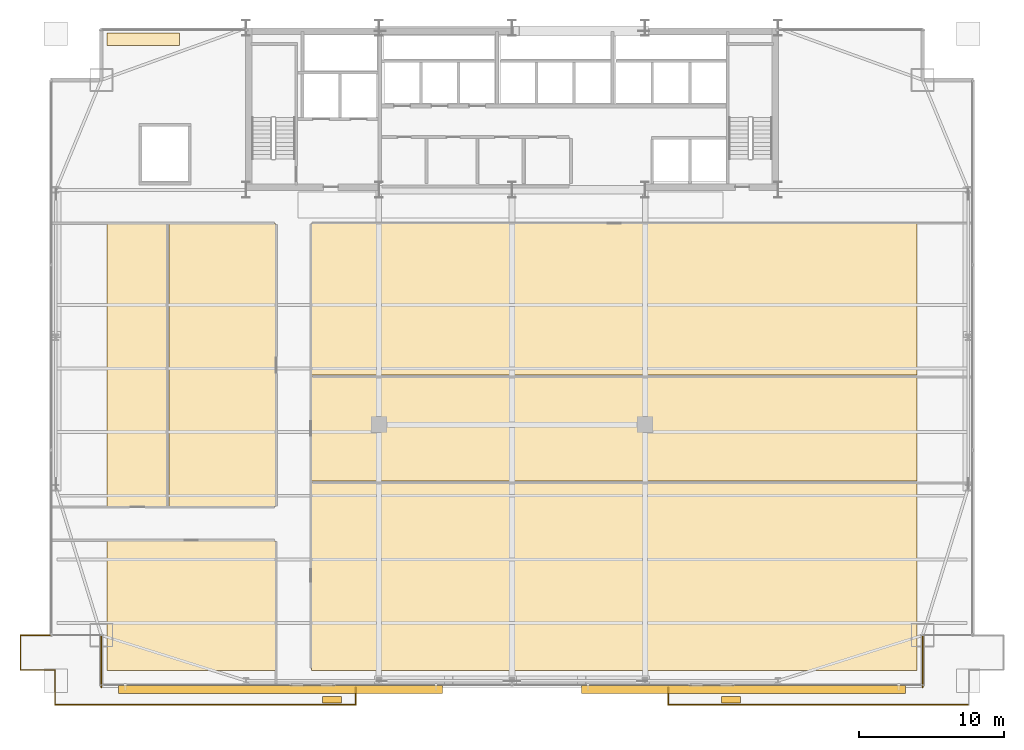
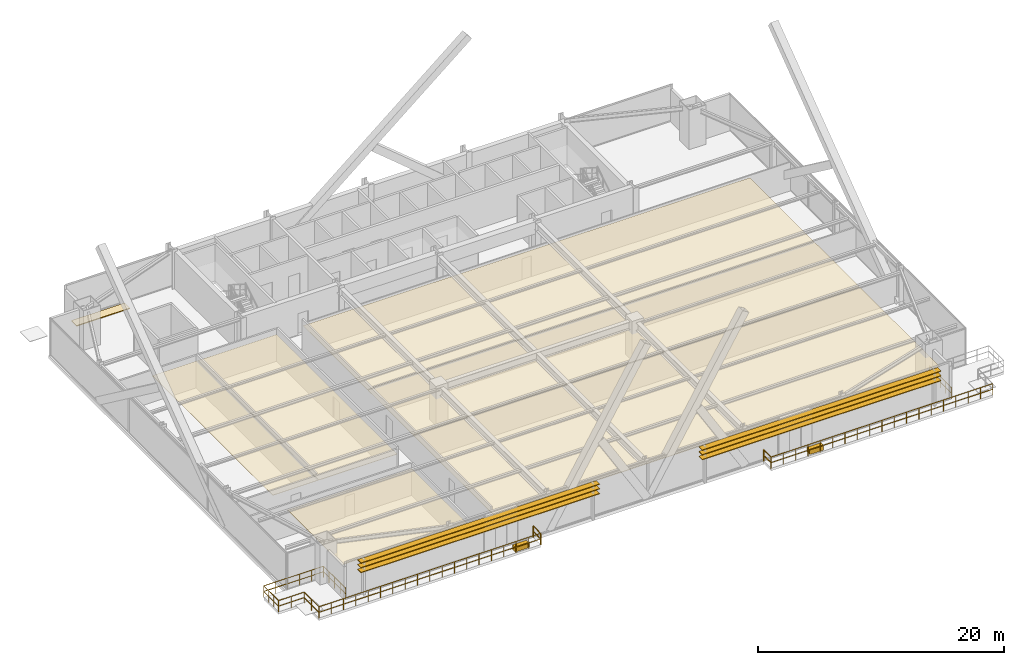
# One storey, part 32 of 34: 10 railings, 9 coverings, 6 shading devices.
"""IFC4 building model written with IfcOpenShell, lengths in metres."""

from ifc_helpers import new_model, si_unit, direction, frame, origin, origin_2d, place, context, subcontext, project, spatial, polyline, rectangle, outline, extrude, source, transform, mapped, material, layer, layer_set, type_object, type_shapes, element, save


model = new_model("IFC4")

# Units and contexts
model_context = context("Model", 3, precision=1e-05, world=origin(), true_north=direction((0.0, 1.0)))
body_context = subcontext(model_context, "Body", "Model", "MODEL_VIEW")
ifc_project = project(units=[si_unit("LENGTHUNIT", "METRE"), si_unit("AREAUNIT", "SQUARE_METRE"), si_unit("VOLUMEUNIT", "CUBIC_METRE"), si_unit("PLANEANGLEUNIT", "RADIAN"), si_unit("MASSUNIT", "GRAM", prefix="KILO")], contexts=[model_context])

# Site, building, storey
site_placement = place(None, origin())
site = spatial("IfcSite", under=ifc_project, at=site_placement, CompositionType="ELEMENT")
building_placement = place(site_placement, origin())
building = spatial("IfcBuilding", under=site, at=building_placement, Name="Varnel Quay Broadcast Tower", CompositionType="ELEMENT")
storey_placement = place(building_placement, frame((0.0, 0.0, 27.60009765625)))
storey = spatial("IfcBuildingStorey", under=building, at=storey_placement, Name="L05", CompositionType="ELEMENT", Elevation=27.60009765625)

# Coverings
ifc_material_1 = material(Name="Micro-Perforated Acoustic Ceiling Tile")
ifc_layer_1 = layer(ifc_material_1, 0.0400390625, Name="Micro-Perforated Acoustic Ceiling Tile")
ifc_layer_set_1 = layer_set([ifc_layer_1], Name="Micro-Perforated Acoustic Ceiling Tile")
covering_type_1 = type_object("IfcCoveringType", Name="Cov_AcousticCeiling", PredefinedType="CEILING", material=ifc_layer_set_1)
covering_1_placement = place(storey_placement, frame((0.0, 0.0, 2.579833984375)))
element("IfcCovering", 1, at=covering_1_placement, inside=storey, type_object=covering_type_1, Name="L05 Broadcast Newsroom 1 Acoustic Ceiling", PredefinedType="CEILING", context=body_context, shape_type="SweptSolid", body=[
    extrude(outline(polyline([(5.985107421875, 2.375), (17.655029296875, 2.375), (17.655029296875, 11.3349609375), (5.985107421875, 11.3349609375), (5.985107421875, 2.375)])), origin(), (0.0, 0.0, 1.0), 0.0400390625),
])
covering_2_placement = place(storey_placement, frame((0.0, 0.0, 2.579833984375)))
element("IfcCovering", 2, at=covering_2_placement, inside=storey, type_object=covering_type_1, Name="L05 Assignment Desk 2 Acoustic Ceiling", PredefinedType="CEILING", context=body_context, shape_type="SweptSolid", body=[
    extrude(outline(polyline([(5.985107421875, 13.705078125), (10.215087890625, 13.705078125), (10.215087890625, 33.264892578125), (5.985107421875, 33.264892578125), (5.985107421875, 13.705078125)])), origin(), (0.0, 0.0, 1.0), 0.0400390625),
])
covering_3_placement = place(storey_placement, frame((0.0, 0.0, 2.579833984375)))
element("IfcCovering", 3, at=covering_3_placement, inside=storey, type_object=covering_type_1, Name="L05 Editorial Boardroom 3 Acoustic Ceiling", PredefinedType="CEILING", context=body_context, shape_type="SweptSolid", body=[
    extrude(outline(polyline([(10.284912109375, 13.705078125), (17.655029296875, 13.705078125), (17.655029296875, 33.264892578125), (10.284912109375, 33.264892578125), (10.284912109375, 13.705078125)])), origin(), (0.0, 0.0, 1.0), 0.0400390625),
])
covering_4_placement = place(storey_placement, frame((0.0, 0.0, 2.579833984375)))
element("IfcCovering", 4, at=covering_4_placement, inside=storey, type_object=covering_type_1, Name="L05 Break Kitchen 4 Acoustic Ceiling", PredefinedType="CEILING", context=body_context, shape_type="SweptSolid", body=[
    extrude(outline(polyline([(20.125, 2.375), (62.014892578125, 2.375), (62.014892578125, 15.385009765625), (20.125, 15.385009765625), (20.125, 2.375)])), origin(), (0.0, 0.0, 1.0), 0.0400390625),
])
covering_5_placement = place(storey_placement, frame((0.0, 0.0, 2.579833984375)))
element("IfcCovering", 5, at=covering_5_placement, inside=storey, type_object=covering_type_1, Name="L05 Press Green Lounge 5 Acoustic Ceiling", PredefinedType="CEILING", context=body_context, shape_type="SweptSolid", body=[
    extrude(outline(polyline([(20.125, 15.455078125), (62.014892578125, 15.455078125), (62.014892578125, 22.735107421875), (20.125, 22.735107421875), (20.125, 15.455078125)])), origin(), (0.0, 0.0, 1.0), 0.0400390625),
])
covering_6_placement = place(storey_placement, frame((0.0, 0.0, 2.579833984375)))
element("IfcCovering", 6, at=covering_6_placement, inside=storey, type_object=covering_type_1, Name="L05 Camera Locker Store 6 Acoustic Ceiling", PredefinedType="CEILING", context=body_context, shape_type="SweptSolid", body=[
    extrude(outline(polyline([(20.125, 22.804931640625), (62.014892578125, 22.804931640625), (62.014892578125, 33.264892578125), (20.125, 33.264892578125), (20.125, 22.804931640625)])), origin(), (0.0, 0.0, 1.0), 0.0400390625),
])
ifc_material_2 = material(Name="Insulated SBS Modified Bitumen Roof Membrane")
ifc_layer_2 = layer(ifc_material_2, 0.080078125, Name="Insulated SBS Modified Bitumen Roof Membrane")
ifc_layer_set_2 = layer_set([ifc_layer_2], Name="Insulated SBS Modified Bitumen Roof Membrane")
covering_type_2 = type_object("IfcCoveringType", Name="Cov_RoofMembrane", PredefinedType="ROOFING", material=ifc_layer_set_2)
covering_7_placement = place(storey_placement, origin())
element("IfcCovering", 7, at=covering_7_placement, inside=storey, type_object=covering_type_2, Name="L05 North Curb Flashing Membrane", PredefinedType="ROOFING", context=body_context, shape_type="SweptSolid", body=[
    extrude(outline(polyline([(6.0, 45.60009765625), (11.0, 45.60009765625), (11.0, 46.449951171875), (6.0, 46.449951171875), (6.0, 45.60009765625)])), origin(), (0.0, 0.0, 1.0), 0.079833984375),
])

# Railings
ifc_material_3 = material(Name="Anodised Bronze Aluminium 6063-T6", Category="aluminium")
railing_type = type_object("IfcRailingType", Name="Rail_Balustrade1150", PredefinedType="BALUSTRADE", material=ifc_material_3)
railing_1_placement = place(storey_placement, frame((2.39990234375, 0.0, 0.0)))
element("IfcRailing", 8, at=railing_1_placement, inside=storey, type_object=railing_type, Name="L05 Terrace 1 Guard 1", PredefinedType="BALUSTRADE", context=body_context, shape_type="SweptSolid", body=[
    extrude(rectangle(XDim=0.048095703125, YDim=0.048095703125, at=origin_2d()), frame((0.0, 0.0, 1.1259765625), z_axis=(1.0, 0.0, 0.0), x_axis=(0.0, 1.0, 0.0)), (0.0, 0.0, 1.0), 20.800048828125),
    extrude(rectangle(XDim=0.048095703125, YDim=0.048095703125, at=origin_2d()), frame((0.0, 0.0, 0.574951171875), z_axis=(1.0, 0.0, 0.0), x_axis=(0.0, 1.0, 0.0)), (0.0, 0.0, 1.0), 20.800048828125),
    extrude(rectangle(XDim=0.0419921875, YDim=0.0419921875, at=origin_2d()), origin(), (0.0, 0.0, 1.0), 1.101806640625),
    extrude(rectangle(XDim=0.0419921875, YDim=0.0419921875, at=origin_2d()), frame((1.155517578125, 0.0, 0.0)), (0.0, 0.0, 1.0), 1.101806640625),
    extrude(rectangle(XDim=0.0419921875, YDim=0.0419921875, at=origin_2d()), frame((2.31103515625, 0.0, 0.0)), (0.0, 0.0, 1.0), 1.101806640625),
    extrude(rectangle(XDim=0.0419921875, YDim=0.0419921875, at=origin_2d()), frame((3.466796875, 0.0, 0.0)), (0.0, 0.0, 1.0), 1.101806640625),
    extrude(rectangle(XDim=0.0419921875, YDim=0.0419921875, at=origin_2d()), frame((4.622314453125, 0.0, 0.0)), (0.0, 0.0, 1.0), 1.101806640625),
    extrude(rectangle(XDim=0.0419921875, YDim=0.0419921875, at=origin_2d()), frame((5.77783203125, 0.0, 0.0)), (0.0, 0.0, 1.0), 1.101806640625),
    extrude(rectangle(XDim=0.0419921875, YDim=0.0419921875, at=origin_2d()), frame((6.933349609375, 0.0, 0.0)), (0.0, 0.0, 1.0), 1.101806640625),
    extrude(rectangle(XDim=0.0419921875, YDim=0.0419921875, at=origin_2d()), frame((8.0888671875, 0.0, 0.0)), (0.0, 0.0, 1.0), 1.101806640625),
    extrude(rectangle(XDim=0.0419921875, YDim=0.0419921875, at=origin_2d()), frame((9.244384765625, 0.0, 0.0)), (0.0, 0.0, 1.0), 1.101806640625),
    extrude(rectangle(XDim=0.0419921875, YDim=0.0419921875, at=origin_2d()), frame((10.39990234375, 0.0, 0.0)), (0.0, 0.0, 1.0), 1.101806640625),
    extrude(rectangle(XDim=0.0419921875, YDim=0.0419921875, at=origin_2d()), frame((11.5556640625, 0.0, 0.0)), (0.0, 0.0, 1.0), 1.101806640625),
    extrude(rectangle(XDim=0.0419921875, YDim=0.0419921875, at=origin_2d()), frame((12.711181640625, 0.0, 0.0)), (0.0, 0.0, 1.0), 1.101806640625),
    extrude(rectangle(XDim=0.0419921875, YDim=0.0419921875, at=origin_2d()), frame((13.86669921875, 0.0, 0.0)), (0.0, 0.0, 1.0), 1.101806640625),
    extrude(rectangle(XDim=0.0419921875, YDim=0.0419921875, at=origin_2d()), frame((15.022216796875, 0.0, 0.0)), (0.0, 0.0, 1.0), 1.101806640625),
    extrude(rectangle(XDim=0.0419921875, YDim=0.0419921875, at=origin_2d()), frame((16.177734375, 0.0, 0.0)), (0.0, 0.0, 1.0), 1.101806640625),
    extrude(rectangle(XDim=0.0419921875, YDim=0.0419921875, at=origin_2d()), frame((17.33349609375, 0.0, 0.0)), (0.0, 0.0, 1.0), 1.101806640625),
    extrude(rectangle(XDim=0.0419921875, YDim=0.0419921875, at=origin_2d()), frame((18.489013671875, 0.0, 0.0)), (0.0, 0.0, 1.0), 1.101806640625),
    extrude(rectangle(XDim=0.0419921875, YDim=0.0419921875, at=origin_2d()), frame((19.64453125, 0.0, 0.0)), (0.0, 0.0, 1.0), 1.101806640625),
    extrude(rectangle(XDim=0.0419921875, YDim=0.0419921875, at=origin_2d()), frame((20.800048828125, 0.0, 0.0)), (0.0, 0.0, 1.0), 1.101806640625),
])
railing_2_placement = place(storey_placement, frame((23.199951171875, 0.0, 0.0)))
element("IfcRailing", 9, at=railing_2_placement, inside=storey, type_object=railing_type, Name="L05 Terrace 1 Guard 2", PredefinedType="BALUSTRADE", context=body_context, shape_type="SweptSolid", body=[
    extrude(rectangle(XDim=0.048095703125, YDim=0.048095703125, at=origin_2d()), frame((0.0, 0.0, 1.1259765625), z_axis=(0.0, 1.0, 0.0), x_axis=(-1.0, 0.0, 0.0)), (0.0, 0.0, 1.0), 1.199951171875),
    extrude(rectangle(XDim=0.048095703125, YDim=0.048095703125, at=origin_2d()), frame((0.0, 0.0, 0.574951171875), z_axis=(0.0, 1.0, 0.0), x_axis=(-1.0, 0.0, 0.0)), (0.0, 0.0, 1.0), 1.199951171875),
    extrude(rectangle(XDim=0.0419921875, YDim=0.0419921875, at=origin_2d()), origin(), (0.0, 0.0, 1.0), 1.101806640625),
    extrude(rectangle(XDim=0.0419921875, YDim=0.0419921875, at=origin_2d()), frame((0.0, 1.199951171875, 0.0)), (0.0, 0.0, 1.0), 1.101806640625),
])
railing_3_placement = place(storey_placement, frame((5.60009765625, 1.199951171875, 0.0)))
element("IfcRailing", 10, at=railing_3_placement, inside=storey, type_object=railing_type, Name="L05 Terrace 1 Guard 4", PredefinedType="BALUSTRADE", context=body_context, shape_type="SweptSolid", body=[
    extrude(rectangle(XDim=0.048095703125, YDim=0.048095703125, at=origin_2d()), frame((0.0, 0.0, 1.1259765625), z_axis=(0.0, 1.0, 0.0), x_axis=(-1.0, 0.0, 0.0)), (0.0, 0.0, 1.0), 3.60009765625),
    extrude(rectangle(XDim=0.048095703125, YDim=0.048095703125, at=origin_2d()), frame((0.0, 0.0, 0.574951171875), z_axis=(0.0, 1.0, 0.0), x_axis=(-1.0, 0.0, 0.0)), (0.0, 0.0, 1.0), 3.60009765625),
    extrude(rectangle(XDim=0.0419921875, YDim=0.0419921875, at=origin_2d()), origin(), (0.0, 0.0, 1.0), 1.101806640625),
    extrude(rectangle(XDim=0.0419921875, YDim=0.0419921875, at=origin_2d()), frame((0.0, 0.89990234375, 0.0)), (0.0, 0.0, 1.0), 1.101806640625),
    extrude(rectangle(XDim=0.0419921875, YDim=0.0419921875, at=origin_2d()), frame((0.0, 1.800048828125, 0.0)), (0.0, 0.0, 1.0), 1.101806640625),
    extrude(rectangle(XDim=0.0419921875, YDim=0.0419921875, at=origin_2d()), frame((0.0, 2.7001953125, 0.0)), (0.0, 0.0, 1.0), 1.101806640625),
    extrude(rectangle(XDim=0.0419921875, YDim=0.0419921875, at=origin_2d()), frame((0.0, 3.60009765625, 0.0)), (0.0, 0.0, 1.0), 1.101806640625),
])
railing_4_placement = place(storey_placement, frame((5.60009765625, 4.800048828125, 0.0)))
element("IfcRailing", 11, at=railing_4_placement, inside=storey, type_object=railing_type, Name="L05 Terrace 1 Guard 5", PredefinedType="BALUSTRADE", context=body_context, shape_type="SweptSolid", body=[
    extrude(rectangle(XDim=0.048095703125, YDim=0.048095703125, at=origin_2d()), frame((0.0, 0.0, 1.1259765625), z_axis=(-1.0, 0.0, 0.0), x_axis=(0.0, -1.0, 0.0)), (0.0, 0.0, 1.0), 5.60009765625),
    extrude(rectangle(XDim=0.048095703125, YDim=0.048095703125, at=origin_2d()), frame((0.0, 0.0, 0.574951171875), z_axis=(-1.0, 0.0, 0.0), x_axis=(0.0, -1.0, 0.0)), (0.0, 0.0, 1.0), 5.60009765625),
    extrude(rectangle(XDim=0.0419921875, YDim=0.0419921875, at=origin_2d()), origin(), (0.0, 0.0, 1.0), 1.101806640625),
    extrude(rectangle(XDim=0.0419921875, YDim=0.0419921875, at=origin_2d()), frame((-1.1201171875, 0.0, 0.0)), (0.0, 0.0, 1.0), 1.101806640625),
    extrude(rectangle(XDim=0.0419921875, YDim=0.0419921875, at=origin_2d()), frame((-2.239990234375, 0.0, 0.0)), (0.0, 0.0, 1.0), 1.101806640625),
    extrude(rectangle(XDim=0.0419921875, YDim=0.0419921875, at=origin_2d()), frame((-3.360107421875, 0.0, 0.0)), (0.0, 0.0, 1.0), 1.101806640625),
    extrude(rectangle(XDim=0.0419921875, YDim=0.0419921875, at=origin_2d()), frame((-4.47998046875, 0.0, 0.0)), (0.0, 0.0, 1.0), 1.101806640625),
    extrude(rectangle(XDim=0.0419921875, YDim=0.0419921875, at=origin_2d()), frame((-5.60009765625, 0.0, 0.0)), (0.0, 0.0, 1.0), 1.101806640625),
])
railing_5_placement = place(storey_placement, frame((0.0, 4.800048828125, 0.0)))
element("IfcRailing", 12, at=railing_5_placement, inside=storey, type_object=railing_type, Name="L05 Terrace 1 Guard 6", PredefinedType="BALUSTRADE", context=body_context, shape_type="SweptSolid", body=[
    extrude(rectangle(XDim=0.048095703125, YDim=0.048095703125, at=origin_2d()), frame((0.0, 0.0, 1.1259765625), z_axis=(0.0, -1.0, 0.0), x_axis=(1.0, 0.0, 0.0)), (0.0, 0.0, 1.0), 2.400146484375),
    extrude(rectangle(XDim=0.048095703125, YDim=0.048095703125, at=origin_2d()), frame((0.0, 0.0, 0.574951171875), z_axis=(0.0, -1.0, 0.0), x_axis=(1.0, 0.0, 0.0)), (0.0, 0.0, 1.0), 2.400146484375),
    extrude(rectangle(XDim=0.0419921875, YDim=0.0419921875, at=origin_2d()), origin(), (0.0, 0.0, 1.0), 1.101806640625),
    extrude(rectangle(XDim=0.0419921875, YDim=0.0419921875, at=origin_2d()), frame((0.0, -0.800048828125, 0.0)), (0.0, 0.0, 1.0), 1.101806640625),
    extrude(rectangle(XDim=0.0419921875, YDim=0.0419921875, at=origin_2d()), frame((0.0, -1.60009765625, 0.0)), (0.0, 0.0, 1.0), 1.101806640625),
    extrude(rectangle(XDim=0.0419921875, YDim=0.0419921875, at=origin_2d()), frame((0.0, -2.400146484375, 0.0)), (0.0, 0.0, 1.0), 1.101806640625),
])
railing_6_placement = place(storey_placement, frame((0.0, 2.39990234375, 0.0)))
element("IfcRailing", 13, at=railing_6_placement, inside=storey, type_object=railing_type, Name="L05 Terrace 1 Guard 7", PredefinedType="BALUSTRADE", context=body_context, shape_type="SweptSolid", body=[
    extrude(rectangle(XDim=0.048095703125, YDim=0.048095703125, at=origin_2d()), frame((0.0, 0.0, 1.1259765625), z_axis=(1.0, 0.0, 0.0), x_axis=(0.0, 1.0, 0.0)), (0.0, 0.0, 1.0), 2.39990234375),
    extrude(rectangle(XDim=0.048095703125, YDim=0.048095703125, at=origin_2d()), frame((0.0, 0.0, 0.574951171875), z_axis=(1.0, 0.0, 0.0), x_axis=(0.0, 1.0, 0.0)), (0.0, 0.0, 1.0), 2.39990234375),
    extrude(rectangle(XDim=0.0419921875, YDim=0.0419921875, at=origin_2d()), origin(), (0.0, 0.0, 1.0), 1.101806640625),
    extrude(rectangle(XDim=0.0419921875, YDim=0.0419921875, at=origin_2d()), frame((1.199951171875, 0.0, 0.0)), (0.0, 0.0, 1.0), 1.101806640625),
    extrude(rectangle(XDim=0.0419921875, YDim=0.0419921875, at=origin_2d()), frame((2.39990234375, 0.0, 0.0)), (0.0, 0.0, 1.0), 1.101806640625),
])
railing_7_placement = place(storey_placement, frame((2.39990234375, 2.39990234375, 0.0)))
element("IfcRailing", 14, at=railing_7_placement, inside=storey, type_object=railing_type, Name="L05 Terrace 1 Guard 8", PredefinedType="BALUSTRADE", context=body_context, shape_type="SweptSolid", body=[
    extrude(rectangle(XDim=0.048095703125, YDim=0.048095703125, at=origin_2d()), frame((0.0, 0.0, 1.1259765625), z_axis=(0.0, -1.0, 0.0), x_axis=(1.0, 0.0, 0.0)), (0.0, 0.0, 1.0), 2.39990234375),
    extrude(rectangle(XDim=0.048095703125, YDim=0.048095703125, at=origin_2d()), frame((0.0, 0.0, 0.574951171875), z_axis=(0.0, -1.0, 0.0), x_axis=(1.0, 0.0, 0.0)), (0.0, 0.0, 1.0), 2.39990234375),
    extrude(rectangle(XDim=0.0419921875, YDim=0.0419921875, at=origin_2d()), origin(), (0.0, 0.0, 1.0), 1.101806640625),
    extrude(rectangle(XDim=0.0419921875, YDim=0.0419921875, at=origin_2d()), frame((0.0, -1.199951171875, 0.0)), (0.0, 0.0, 1.0), 1.101806640625),
    extrude(rectangle(XDim=0.0419921875, YDim=0.0419921875, at=origin_2d()), frame((0.0, -2.39990234375, 0.0)), (0.0, 0.0, 1.0), 1.101806640625),
])
railing_8_placement = place(storey_placement, frame((44.800048828125, 0.0, 0.0)))
element("IfcRailing", 15, at=railing_8_placement, inside=storey, type_object=railing_type, Name="L05 Terrace 2 Guard 1", PredefinedType="BALUSTRADE", context=body_context, shape_type="SweptSolid", body=[
    extrude(rectangle(XDim=0.048095703125, YDim=0.048095703125, at=origin_2d()), frame((0.0, 0.0, 1.1259765625), z_axis=(1.0, 0.0, 0.0), x_axis=(0.0, 1.0, 0.0)), (0.0, 0.0, 1.0), 20.800048828125),
    extrude(rectangle(XDim=0.048095703125, YDim=0.048095703125, at=origin_2d()), frame((0.0, 0.0, 0.574951171875), z_axis=(1.0, 0.0, 0.0), x_axis=(0.0, 1.0, 0.0)), (0.0, 0.0, 1.0), 20.800048828125),
    extrude(rectangle(XDim=0.0419921875, YDim=0.0419921875, at=origin_2d()), origin(), (0.0, 0.0, 1.0), 1.101806640625),
    extrude(rectangle(XDim=0.0419921875, YDim=0.0419921875, at=origin_2d()), frame((1.155517578125, 0.0, 0.0)), (0.0, 0.0, 1.0), 1.101806640625),
    extrude(rectangle(XDim=0.0419921875, YDim=0.0419921875, at=origin_2d()), frame((2.31103515625, 0.0, 0.0)), (0.0, 0.0, 1.0), 1.101806640625),
    extrude(rectangle(XDim=0.0419921875, YDim=0.0419921875, at=origin_2d()), frame((3.466796875, 0.0, 0.0)), (0.0, 0.0, 1.0), 1.101806640625),
    extrude(rectangle(XDim=0.0419921875, YDim=0.0419921875, at=origin_2d()), frame((4.622314453125, 0.0, 0.0)), (0.0, 0.0, 1.0), 1.101806640625),
    extrude(rectangle(XDim=0.0419921875, YDim=0.0419921875, at=origin_2d()), frame((5.77783203125, 0.0, 0.0)), (0.0, 0.0, 1.0), 1.101806640625),
    extrude(rectangle(XDim=0.0419921875, YDim=0.0419921875, at=origin_2d()), frame((6.933349609375, 0.0, 0.0)), (0.0, 0.0, 1.0), 1.101806640625),
    extrude(rectangle(XDim=0.0419921875, YDim=0.0419921875, at=origin_2d()), frame((8.0888671875, 0.0, 0.0)), (0.0, 0.0, 1.0), 1.101806640625),
    extrude(rectangle(XDim=0.0419921875, YDim=0.0419921875, at=origin_2d()), frame((9.244384765625, 0.0, 0.0)), (0.0, 0.0, 1.0), 1.101806640625),
    extrude(rectangle(XDim=0.0419921875, YDim=0.0419921875, at=origin_2d()), frame((10.39990234375, 0.0, 0.0)), (0.0, 0.0, 1.0), 1.101806640625),
    extrude(rectangle(XDim=0.0419921875, YDim=0.0419921875, at=origin_2d()), frame((11.5556640625, 0.0, 0.0)), (0.0, 0.0, 1.0), 1.101806640625),
    extrude(rectangle(XDim=0.0419921875, YDim=0.0419921875, at=origin_2d()), frame((12.711181640625, 0.0, 0.0)), (0.0, 0.0, 1.0), 1.101806640625),
    extrude(rectangle(XDim=0.0419921875, YDim=0.0419921875, at=origin_2d()), frame((13.86669921875, 0.0, 0.0)), (0.0, 0.0, 1.0), 1.101806640625),
    extrude(rectangle(XDim=0.0419921875, YDim=0.0419921875, at=origin_2d()), frame((15.022216796875, 0.0, 0.0)), (0.0, 0.0, 1.0), 1.101806640625),
    extrude(rectangle(XDim=0.0419921875, YDim=0.0419921875, at=origin_2d()), frame((16.177734375, 0.0, 0.0)), (0.0, 0.0, 1.0), 1.101806640625),
    extrude(rectangle(XDim=0.0419921875, YDim=0.0419921875, at=origin_2d()), frame((17.33349609375, 0.0, 0.0)), (0.0, 0.0, 1.0), 1.101806640625),
    extrude(rectangle(XDim=0.0419921875, YDim=0.0419921875, at=origin_2d()), frame((18.489013671875, 0.0, 0.0)), (0.0, 0.0, 1.0), 1.101806640625),
    extrude(rectangle(XDim=0.0419921875, YDim=0.0419921875, at=origin_2d()), frame((19.64453125, 0.0, 0.0)), (0.0, 0.0, 1.0), 1.101806640625),
    extrude(rectangle(XDim=0.0419921875, YDim=0.0419921875, at=origin_2d()), frame((20.800048828125, 0.0, 0.0)), (0.0, 0.0, 1.0), 1.101806640625),
])
railing_9_placement = place(storey_placement, frame((62.39990234375, 4.800048828125, 0.0)))
element("IfcRailing", 16, at=railing_9_placement, inside=storey, type_object=railing_type, Name="L05 Terrace 2 Guard 6", PredefinedType="BALUSTRADE", context=body_context, shape_type="SweptSolid", body=[
    extrude(rectangle(XDim=0.048095703125, YDim=0.048095703125, at=origin_2d()), frame((0.0, 0.0, 1.1259765625), z_axis=(0.0, -1.0, 0.0), x_axis=(1.0, 0.0, 0.0)), (0.0, 0.0, 1.0), 3.60009765625),
    extrude(rectangle(XDim=0.048095703125, YDim=0.048095703125, at=origin_2d()), frame((0.0, 0.0, 0.574951171875), z_axis=(0.0, -1.0, 0.0), x_axis=(1.0, 0.0, 0.0)), (0.0, 0.0, 1.0), 3.60009765625),
    extrude(rectangle(XDim=0.0419921875, YDim=0.0419921875, at=origin_2d()), origin(), (0.0, 0.0, 1.0), 1.101806640625),
    extrude(rectangle(XDim=0.0419921875, YDim=0.0419921875, at=origin_2d()), frame((0.0, -0.89990234375, 0.0)), (0.0, 0.0, 1.0), 1.101806640625),
    extrude(rectangle(XDim=0.0419921875, YDim=0.0419921875, at=origin_2d()), frame((0.0, -1.800048828125, 0.0)), (0.0, 0.0, 1.0), 1.101806640625),
    extrude(rectangle(XDim=0.0419921875, YDim=0.0419921875, at=origin_2d()), frame((0.0, -2.7001953125, 0.0)), (0.0, 0.0, 1.0), 1.101806640625),
    extrude(rectangle(XDim=0.0419921875, YDim=0.0419921875, at=origin_2d()), frame((0.0, -3.60009765625, 0.0)), (0.0, 0.0, 1.0), 1.101806640625),
])
railing_10_placement = place(storey_placement, frame((44.800048828125, 1.199951171875, 0.0)))
element("IfcRailing", 17, at=railing_10_placement, inside=storey, type_object=railing_type, Name="L05 Terrace 2 Guard 8", PredefinedType="BALUSTRADE", context=body_context, shape_type="SweptSolid", body=[
    extrude(rectangle(XDim=0.048095703125, YDim=0.048095703125, at=origin_2d()), frame((0.0, 0.0, 1.1259765625), z_axis=(0.0, -1.0, 0.0), x_axis=(1.0, 0.0, 0.0)), (0.0, 0.0, 1.0), 1.199951171875),
    extrude(rectangle(XDim=0.048095703125, YDim=0.048095703125, at=origin_2d()), frame((0.0, 0.0, 0.574951171875), z_axis=(0.0, -1.0, 0.0), x_axis=(1.0, 0.0, 0.0)), (0.0, 0.0, 1.0), 1.199951171875),
    extrude(rectangle(XDim=0.0419921875, YDim=0.0419921875, at=origin_2d()), origin(), (0.0, 0.0, 1.0), 1.101806640625),
    extrude(rectangle(XDim=0.0419921875, YDim=0.0419921875, at=origin_2d()), frame((0.0, -1.199951171875, 0.0)), (0.0, 0.0, 1.0), 1.101806640625),
])

# Coverings
ifc_material_4 = material(Name="Bronze-Terracotta Extruded Ceramic Blade", Category="masonry")
ifc_layer_3 = layer(ifc_material_4, 0.449951171875, Name="Bronze-Terracotta Extruded Ceramic Blade")
ifc_layer_set_3 = layer_set([ifc_layer_3], Name="Bronze-Terracotta Extruded Ceramic Blade")
covering_type_3 = type_object("IfcCoveringType", Name="Cov_BronzePlanter", PredefinedType="CLADDING", material=ifc_layer_set_3)
shared_shape_1 = source(origin(), body_context, "Body", "SweptSolid", [
    extrude(rectangle(XDim=1.300048828125, YDim=0.449951171875, at=origin_2d()), origin(), (0.0, 0.0, 1.0), 0.449951171875),
])
type_shapes(covering_type_3, [shared_shape_1])
for number, where, z_axis, x_axis, name in (
    (18, (21.550048828125, 0.35009765625, 0.0), (0.0, 0.0, 1.0), (1.0, 0.0, 0.0), "L05 Terrace 1 Bronze Planter"),
    (19, (49.14990234375, 0.35009765625, 0.0), (0.0, 0.0, 1.0), (1.0, 0.0, 0.0), "L05 Terrace 2 Bronze Planter"),
):
    element("IfcCovering", number, at=place(storey_placement, frame(where, z_axis=z_axis, x_axis=x_axis)), inside=storey, type_object=covering_type_3, Name=name, PredefinedType="CLADDING", context=body_context, shape_type="MappedRepresentation", body=[
        mapped(shared_shape_1, transform((0.0, 0.0, 0.0), x_axis=(1.0, 0.0, 0.0), y_axis=(0.0, 1.0, 0.0), z_axis=(0.0, 0.0, 1.0), scale=1.0)),
    ])

# Shading devices
ifc_layer_4 = layer(ifc_material_4, 0.06494140625, Name="Bronze-Terracotta Extruded Ceramic Blade")
ifc_layer_set_4 = layer_set([ifc_layer_4], Name="Bronze-Terracotta Extruded Ceramic Blade")
shading_device_type = type_object("IfcShadingDeviceType", Name="Shade_LouvreBlade550", PredefinedType="JALOUSIE", material=ifc_layer_set_4)
shared_shape_2 = source(origin(), body_context, "Body", "SweptSolid", [
    extrude(rectangle(XDim=22.39990234375, YDim=0.550048828125, at=origin_2d()), origin(), (0.0, 0.0, 1.0), 0.06494140625),
])
type_shapes(shading_device_type, [shared_shape_2])
for number, where, z_axis, x_axis, name in (
    (20, (18.0, 1.06005859375, 2.447509765625), (0.0, 0.0, 1.0), (1.0, 0.0, 0.0), "L05 Lobe 1 Horizontal Louvre Blade 1"),
    (21, (18.0, 1.06005859375, 2.927490234375), (0.0, 0.0, 1.0), (1.0, 0.0, 0.0), "L05 Lobe 1 Horizontal Louvre Blade 2"),
    (22, (18.0, 1.06005859375, 3.387451171875), (0.0, 0.0, 1.0), (1.0, 0.0, 0.0), "L05 Lobe 1 Horizontal Louvre Blade 3"),
    (23, (50.0, 1.06005859375, 2.447509765625), (0.0, 0.0, 1.0), (1.0, 0.0, 0.0), "L05 Lobe 2 Horizontal Louvre Blade 1"),
    (24, (50.0, 1.06005859375, 2.927490234375), (0.0, 0.0, 1.0), (1.0, 0.0, 0.0), "L05 Lobe 2 Horizontal Louvre Blade 2"),
    (25, (50.0, 1.06005859375, 3.387451171875), (0.0, 0.0, 1.0), (1.0, 0.0, 0.0), "L05 Lobe 2 Horizontal Louvre Blade 3"),
):
    element("IfcShadingDevice", number, at=place(storey_placement, frame(where, z_axis=z_axis, x_axis=x_axis)), inside=storey, type_object=shading_device_type, Name=name, PredefinedType="JALOUSIE", context=body_context, shape_type="MappedRepresentation", body=[
        mapped(shared_shape_2, transform((0.0, 0.0, 0.0), x_axis=(1.0, 0.0, 0.0), y_axis=(0.0, 1.0, 0.0), z_axis=(0.0, 0.0, 1.0), scale=1.0)),
    ])

save(model, "model.ifc")
